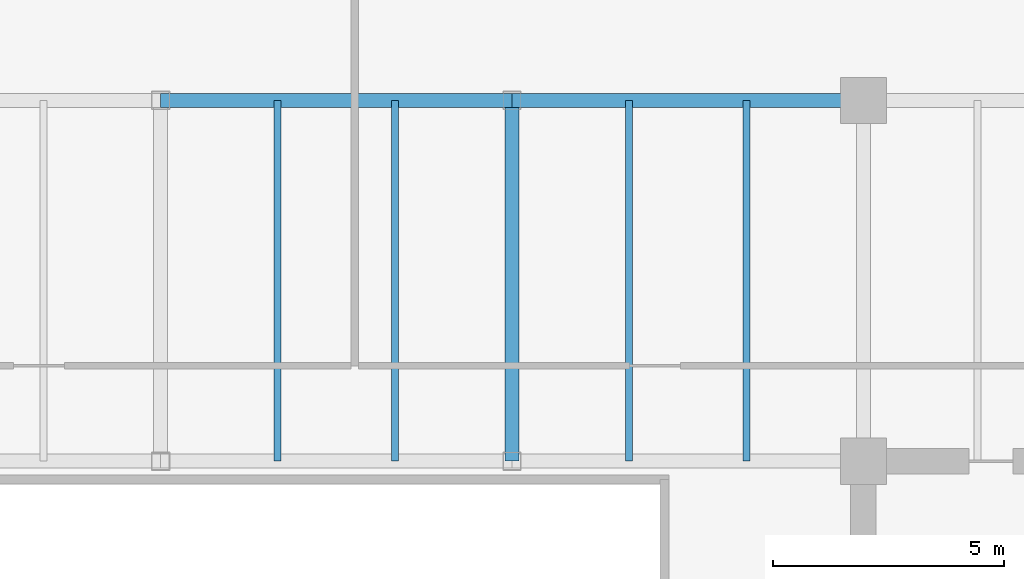
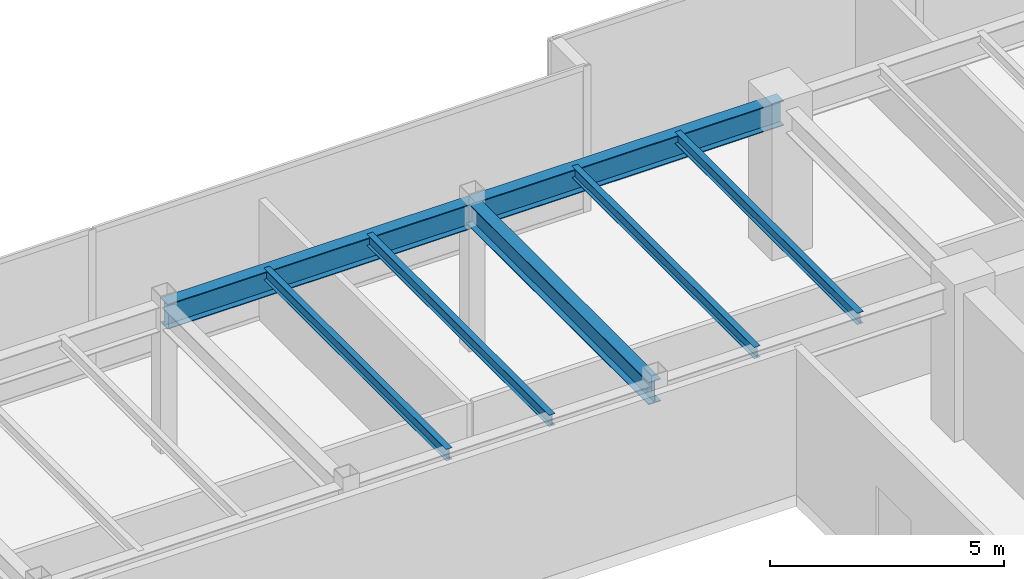
# One storey, part 18 of 33: 7 beams.
"""IFC4 building model written with IfcOpenShell, lengths in metres."""

from ifc_helpers import new_model, si_unit, direction, frame, origin, origin_2d, place, context, subcontext, project, spatial, i_section, extrude, source, transform, mapped, material, material_profile, profile_set, type_object, type_shapes, element, save


model = new_model("IFC4")

# Units and contexts
model_context = context("Model", 3, precision=1e-05, world=origin(), true_north=direction((0.0, 1.0)))
body_context = subcontext(model_context, "Body", "Model", "MODEL_VIEW")
ifc_project = project(units=[si_unit("LENGTHUNIT", "METRE"), si_unit("AREAUNIT", "SQUARE_METRE"), si_unit("VOLUMEUNIT", "CUBIC_METRE"), si_unit("PLANEANGLEUNIT", "RADIAN"), si_unit("MASSUNIT", "GRAM", prefix="KILO")], contexts=[model_context])

# Site, building, storey
site_placement = place(None, origin())
site = spatial("IfcSite", under=ifc_project, at=site_placement, CompositionType="ELEMENT")
building_placement = place(site_placement, origin())
building = spatial("IfcBuilding", under=site, at=building_placement, Name="Haelvirn Gate Laboratories", CompositionType="ELEMENT")
storey_placement = place(building_placement, frame((0.0, 0.0, 217.800048828125)))
storey = spatial("IfcBuildingStorey", under=building, at=storey_placement, Name="L52", CompositionType="ELEMENT", Elevation=217.800048828125)

# Beams
ifc_material = material(Name="Steel SM355", Category="steel")
ifc_material_profile_1 = material_profile(ifc_material, i_section(OverallWidth=0.14990234375, OverallDepth=0.300048828125, WebThickness=0.006591796875, FlangeThickness=0.009033203125, at=origin_2d()), Name="H-300x150x6.5x9")
ifc_profile_set_1 = profile_set([ifc_material_profile_1], Name="Steel SM355")
beam_type_1 = type_object("IfcBeamType", Name="BM-J-300", PredefinedType="JOIST", material=ifc_profile_set_1)
shared_shape_1 = source(origin(), body_context, "Body", "SweptSolid", [
    extrude(i_section(OverallWidth=0.14990234375, OverallDepth=0.300048828125, WebThickness=0.006591796875, FlangeThickness=0.009033203125, at=origin_2d()), origin(), (0.0, 0.0, 1.0), 7.800048828125),
])
type_shapes(beam_type_1, [shared_shape_1])
for number, where, z_axis, x_axis, name in (
    (1, (39.929931640625, 33.800048828125, 3.64990234375), (0.0, 1.0, 0.0), (-1.0, 0.0, 0.0), "L52 Composite Lab Joist North X39.93"),
    (2, (42.469970703125, 33.800048828125, 3.64990234375), (0.0, 1.0, 0.0), (-1.0, 0.0, 0.0), "L52 Composite Lab Joist North X42.47"),
    (3, (47.530029296875, 33.800048828125, 3.64990234375), (0.0, 1.0, 0.0), (-1.0, 0.0, 0.0), "L52 Composite Lab Joist North X47.53"),
    (4, (50.070068359375, 33.800048828125, 3.64990234375), (0.0, 1.0, 0.0), (-1.0, 0.0, 0.0), "L52 Composite Lab Joist North X50.07"),
):
    element("IfcBeam", number, at=place(storey_placement, frame(where, z_axis=z_axis, x_axis=x_axis)), inside=storey, type_object=beam_type_1, Name=name, PredefinedType="JOIST", context=body_context, shape_type="MappedRepresentation", body=[
        mapped(shared_shape_1, transform((0.0, 0.0, 0.0), scale=1.0)),
    ])
ifc_material_profile_2 = material_profile(ifc_material, i_section(OverallWidth=0.300048828125, OverallDepth=0.587890625, WebThickness=0.011962890625, FlangeThickness=0.02001953125, at=origin_2d()), Name="H-588x300x12x20")
ifc_profile_set_2 = profile_set([ifc_material_profile_2], Name="Steel SM355")
beam_type_2 = type_object("IfcBeamType", Name="BM-G-588", PredefinedType="BEAM", material=ifc_profile_set_2)
shared_shape_2 = source(origin(), body_context, "Body", "SweptSolid", [
    extrude(i_section(OverallWidth=0.300048828125, OverallDepth=0.587890625, WebThickness=0.011962890625, FlangeThickness=0.02001953125, at=origin_2d()), origin(), (0.0, 0.0, 1.0), 7.800048828125),
])
type_shapes(beam_type_2, [shared_shape_2])
beam_placement = place(storey_placement, frame((45.0, 33.800048828125, 3.505859375), z_axis=(0.0, 1.0, 0.0), x_axis=(-1.0, 0.0, 0.0)))
element("IfcBeam", 5, at=beam_placement, inside=storey, type_object=beam_type_2, Name="L52 Frame Girder X45.0 (33.8-41.6)", PredefinedType="BEAM", context=body_context, shape_type="MappedRepresentation", body=[
    mapped(shared_shape_2, transform((0.0, 0.0, 0.0), scale=1.0)),
])
ifc_material_profile_3 = material_profile(ifc_material, i_section(OverallWidth=0.300048828125, OverallDepth=0.64990234375, WebThickness=0.012939453125, FlangeThickness=0.02197265625, at=origin_2d()), Name="H-650x300x13x22")
ifc_profile_set_3 = profile_set([ifc_material_profile_3], Name="Steel SM355")
beam_type_3 = type_object("IfcBeamType", Name="BM-G-650", PredefinedType="BEAM", material=ifc_profile_set_3)
shared_shape_3 = source(origin(), body_context, "Body", "SweptSolid", [
    extrude(i_section(OverallWidth=0.300048828125, OverallDepth=0.64990234375, WebThickness=0.012939453125, FlangeThickness=0.02197265625, at=origin_2d()), origin(), (0.0, 0.0, 1.0), 7.60009765625),
])
type_shapes(beam_type_3, [shared_shape_3])
for number, where, z_axis, x_axis, name in (
    (6, (37.39990234375, 41.60009765625, 3.474853515625), (1.0, 0.0, 0.0), (0.0, 1.0, 0.0), "L52 Primary Girder Y41.6 (37.4-45.0)"),
    (7, (45.0, 41.60009765625, 3.474853515625), (1.0, 0.0, 0.0), (0.0, 1.0, 0.0), "L52 Primary Girder Y41.6 (45.0-52.6)"),
):
    element("IfcBeam", number, at=place(storey_placement, frame(where, z_axis=z_axis, x_axis=x_axis)), inside=storey, type_object=beam_type_3, Name=name, PredefinedType="BEAM", context=body_context, shape_type="MappedRepresentation", body=[
        mapped(shared_shape_3, transform((0.0, 0.0, 0.0), scale=1.0)),
    ])

save(model, "model.ifc")
